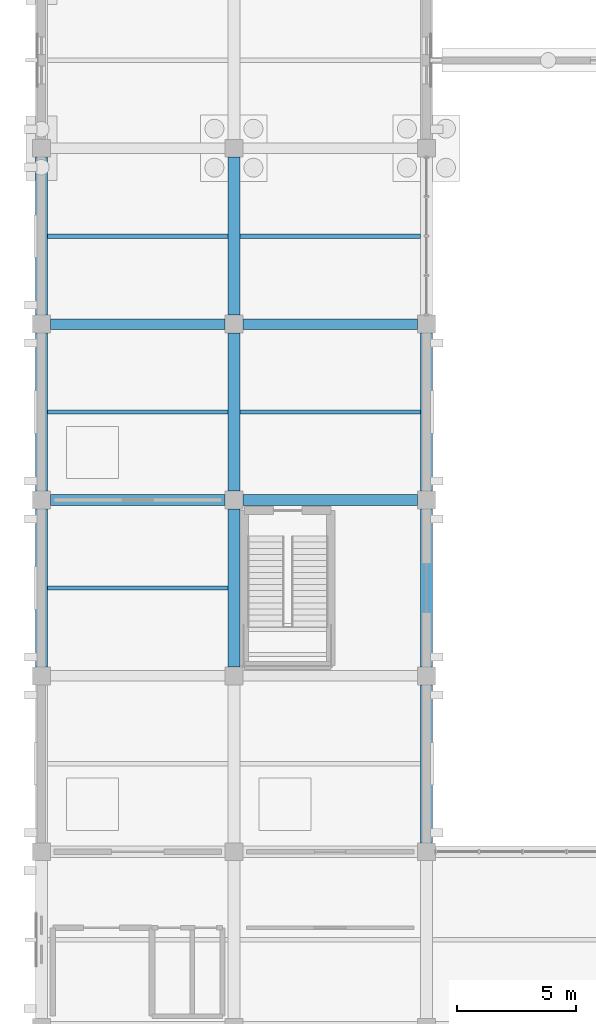
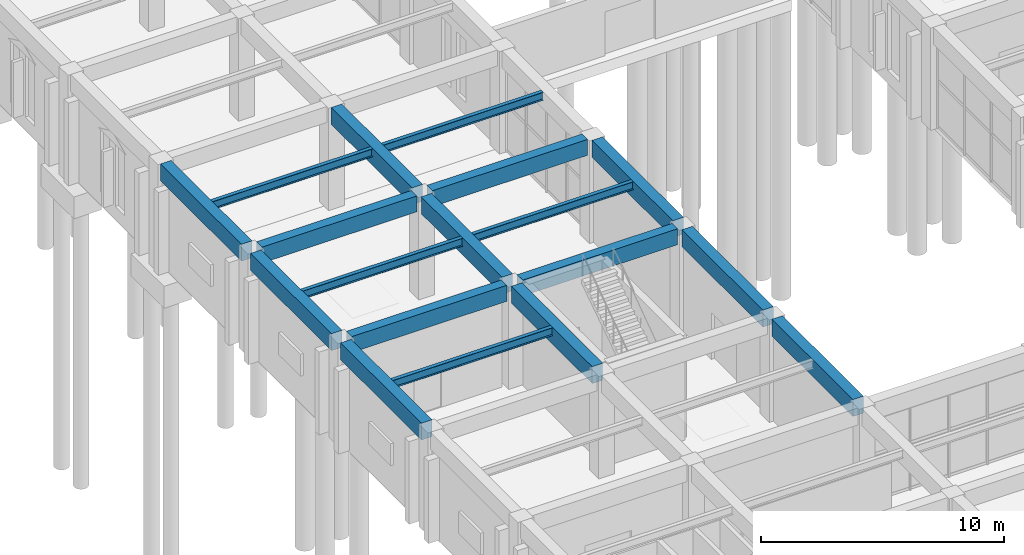
# One storey, part 14 of 140: 18 beams.
"""IFC4 building model written with IfcOpenShell, lengths in metres."""

from ifc_helpers import new_model, si_unit, direction, frame, origin, origin_2d, place, context, subcontext, project, spatial, rectangle, i_section, extrude, material, material_profile, profile_set, type_object, element, save


model = new_model("IFC4")

# Units and contexts
model_context = context("Model", 3, precision=1e-05, world=origin(), true_north=direction((0.0, 1.0)))
body_context = subcontext(model_context, "Body", "Model", "MODEL_VIEW")
ifc_project = project(units=[si_unit("LENGTHUNIT", "METRE"), si_unit("AREAUNIT", "SQUARE_METRE"), si_unit("VOLUMEUNIT", "CUBIC_METRE"), si_unit("PLANEANGLEUNIT", "RADIAN"), si_unit("MASSUNIT", "GRAM", prefix="KILO")], contexts=[model_context])

# Site, building, storey
site_placement = place(None, origin())
site = spatial("IfcSite", under=ifc_project, at=site_placement, CompositionType="ELEMENT")
building_placement = place(site_placement, origin())
building = spatial("IfcBuilding", under=site, at=building_placement, Name="Cimatlan Art Gallery", CompositionType="ELEMENT")
storey_placement = place(building_placement, origin())
storey = spatial("IfcBuildingStorey", under=building, at=storey_placement, Name="L00", CompositionType="ELEMENT", Elevation=0.0)

# Beams
ifc_material_1 = material(Name="Concrete C40/50", Category="concrete")
ifc_material_profile_1 = material_profile(ifc_material_1, rectangle(XDim=0.449951171875, YDim=0.800048828125, at=origin_2d()), Name="RC450X800")
ifc_profile_set_1 = profile_set([ifc_material_profile_1], Name="Concrete C40/50")
beam_type_1 = type_object("IfcBeamType", Name="BM-RC-450X800", PredefinedType="BEAM", material=ifc_profile_set_1)
for number, where, z_axis, x_axis, name in (
    (1, (2.375, 53.5, 4.735107421875), (1.0, 0.0, 0.0), (0.0, 1.0, 0.0), "BM-X-L00-00-07"),
    (2, (2.375, 60.89990234375, 4.735107421875), (1.0, 0.0, 0.0), (0.0, 1.0, 0.0), "BM-X-L00-00-08"),
):
    element("IfcBeam", number, at=place(storey_placement, frame(where, z_axis=z_axis, x_axis=x_axis)), inside=storey, type_object=beam_type_1, Name=name, PredefinedType="BEAM", context=body_context, shape_type="SweptSolid", body=[
        extrude(rectangle(XDim=0.449951171875, YDim=0.800048828125, at=origin_2d()), origin(), (0.0, 0.0, 1.0), 7.35009765625),
    ])
for number, where, z_axis, x_axis, name in (
    (3, (10.47509765625, 53.5, 4.735107421875), (1.0, 0.0, 0.0), (0.0, 1.0, 0.0), "BM-X-L00-01-07"),
    (4, (10.47509765625, 60.89990234375, 4.735107421875), (1.0, 0.0, 0.0), (0.0, 1.0, 0.0), "BM-X-L00-01-08"),
):
    element("IfcBeam", number, at=place(storey_placement, frame(where, z_axis=z_axis, x_axis=x_axis)), inside=storey, type_object=beam_type_1, Name=name, PredefinedType="BEAM", context=body_context, shape_type="SweptSolid", body=[
        extrude(rectangle(XDim=0.449951171875, YDim=0.800048828125, at=origin_2d()), origin(), (0.0, 0.0, 1.0), 7.349853515625),
    ])
ifc_material_profile_2 = material_profile(ifc_material_1, rectangle(XDim=0.5, YDim=0.85009765625, at=origin_2d()), Name="RC500X850")
ifc_profile_set_2 = profile_set([ifc_material_profile_2], Name="Concrete C40/50")
beam_type_2 = type_object("IfcBeamType", Name="BM-RC-500X850", PredefinedType="BEAM", material=ifc_profile_set_2)
for number, where, z_axis, x_axis, name in (
    (5, (2.0, 46.47509765625, 4.7099609375), (0.0, 1.0, 0.0), (-1.0, 0.0, 0.0), "BM-Y-L00-00-06"),
    (6, (2.0, 53.875, 4.7099609375), (0.0, 1.0, 0.0), (-1.0, 0.0, 0.0), "BM-Y-L00-00-07"),
):
    element("IfcBeam", number, at=place(storey_placement, frame(where, z_axis=z_axis, x_axis=x_axis)), inside=storey, type_object=beam_type_2, Name=name, PredefinedType="BEAM", context=body_context, shape_type="SweptSolid", body=[
        extrude(rectangle(XDim=0.5, YDim=0.85009765625, at=origin_2d()), origin(), (0.0, 0.0, 1.0), 6.64990234375),
    ])
beam_placement = place(storey_placement, frame((2.0, 61.27490234375, 4.7099609375), z_axis=(0.0, 1.0, 0.0), x_axis=(-1.0, 0.0, 0.0)))
element("IfcBeam", 7, at=beam_placement, inside=storey, type_object=beam_type_2, Name="BM-Y-L00-00-08", PredefinedType="BEAM", context=body_context, shape_type="SweptSolid", body=[
    extrude(rectangle(XDim=0.5, YDim=0.85009765625, at=origin_2d()), origin(), (0.0, 0.0, 1.0), 6.650146484375),
])
for number, where, z_axis, x_axis, name in (
    (8, (10.10009765625, 46.47509765625, 4.7099609375), (0.0, 1.0, 0.0), (-1.0, 0.0, 0.0), "BM-Y-L00-01-06"),
    (9, (10.10009765625, 53.875, 4.7099609375), (0.0, 1.0, 0.0), (-1.0, 0.0, 0.0), "BM-Y-L00-01-07"),
):
    element("IfcBeam", number, at=place(storey_placement, frame(where, z_axis=z_axis, x_axis=x_axis)), inside=storey, type_object=beam_type_2, Name=name, PredefinedType="BEAM", context=body_context, shape_type="SweptSolid", body=[
        extrude(rectangle(XDim=0.5, YDim=0.85009765625, at=origin_2d()), origin(), (0.0, 0.0, 1.0), 6.64990234375),
    ])
for number, where, z_axis, x_axis, name in (
    (10, (10.10009765625, 61.27490234375, 4.7099609375), (0.0, 1.0, 0.0), (-1.0, 0.0, 0.0), "BM-Y-L00-01-08"),
    (11, (18.199951171875, 39.074951171875, 4.7099609375), (0.0, 1.0, 0.0), (-1.0, 0.0, 0.0), "BM-Y-L00-02-05"),
):
    element("IfcBeam", number, at=place(storey_placement, frame(where, z_axis=z_axis, x_axis=x_axis)), inside=storey, type_object=beam_type_2, Name=name, PredefinedType="BEAM", context=body_context, shape_type="SweptSolid", body=[
        extrude(rectangle(XDim=0.5, YDim=0.85009765625, at=origin_2d()), origin(), (0.0, 0.0, 1.0), 6.650146484375),
    ])
for number, where, z_axis, x_axis, name in (
    (12, (18.199951171875, 46.47509765625, 4.7099609375), (0.0, 1.0, 0.0), (-1.0, 0.0, 0.0), "BM-Y-L00-02-06"),
    (13, (18.199951171875, 53.875, 4.7099609375), (0.0, 1.0, 0.0), (-1.0, 0.0, 0.0), "BM-Y-L00-02-07"),
):
    element("IfcBeam", number, at=place(storey_placement, frame(where, z_axis=z_axis, x_axis=x_axis)), inside=storey, type_object=beam_type_2, Name=name, PredefinedType="BEAM", context=body_context, shape_type="SweptSolid", body=[
        extrude(rectangle(XDim=0.5, YDim=0.85009765625, at=origin_2d()), origin(), (0.0, 0.0, 1.0), 6.64990234375),
    ])
ifc_material_2 = material(Name="Steel ASTM A992 Grade 50", Category="steel")
ifc_material_profile_3 = material_profile(ifc_material_2, i_section(OverallWidth=0.177978515625, OverallDepth=0.406982421875, WebThickness=0.0078125, FlangeThickness=0.0126953125, at=origin_2d()), Name="W16X40")
ifc_profile_set_3 = profile_set([ifc_material_profile_3], Name="Steel ASTM A992 Grade 50")
beam_type_3 = type_object("IfcBeamType", Name="BM-STL-W16X40", PredefinedType="JOIST", material=ifc_profile_set_3)
for number, where, z_axis, x_axis, name in (
    (14, (2.25, 49.800048828125, 4.931396484375), (1.0, 0.0, 0.0), (0.0, 1.0, 0.0), "JST-L00-00-06"),
    (15, (2.25, 57.199951171875, 4.931396484375), (1.0, 0.0, 0.0), (0.0, 1.0, 0.0), "JST-L00-00-07"),
    (16, (2.25, 64.60009765625, 4.931396484375), (1.0, 0.0, 0.0), (0.0, 1.0, 0.0), "JST-L00-00-08"),
):
    element("IfcBeam", number, at=place(storey_placement, frame(where, z_axis=z_axis, x_axis=x_axis)), inside=storey, type_object=beam_type_3, Name=name, PredefinedType="JOIST", context=body_context, shape_type="SweptSolid", body=[
        extrude(i_section(OverallWidth=0.177978515625, OverallDepth=0.406982421875, WebThickness=0.0078125, FlangeThickness=0.0126953125, at=origin_2d()), origin(), (0.0, 0.0, 1.0), 7.60009765625),
    ])
for number, where, z_axis, x_axis, name in (
    (17, (10.35009765625, 57.199951171875, 4.931396484375), (1.0, 0.0, 0.0), (0.0, 1.0, 0.0), "JST-L00-01-07"),
    (18, (10.35009765625, 64.60009765625, 4.931396484375), (1.0, 0.0, 0.0), (0.0, 1.0, 0.0), "JST-L00-01-08"),
):
    element("IfcBeam", number, at=place(storey_placement, frame(where, z_axis=z_axis, x_axis=x_axis)), inside=storey, type_object=beam_type_3, Name=name, PredefinedType="JOIST", context=body_context, shape_type="SweptSolid", body=[
        extrude(i_section(OverallWidth=0.177978515625, OverallDepth=0.406982421875, WebThickness=0.0078125, FlangeThickness=0.0126953125, at=origin_2d()), origin(), (0.0, 0.0, 1.0), 7.599853515625),
    ])

save(model, "model.ifc")
